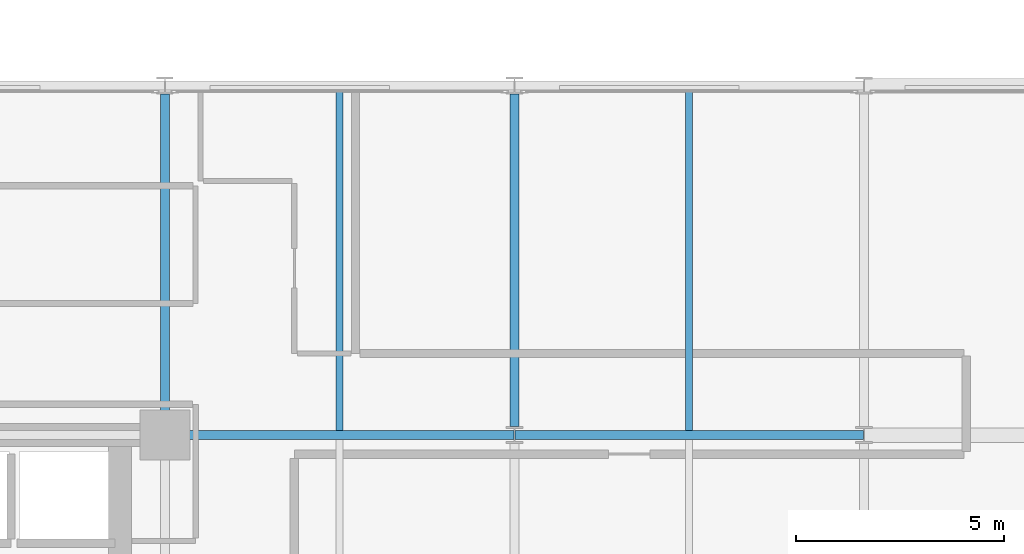
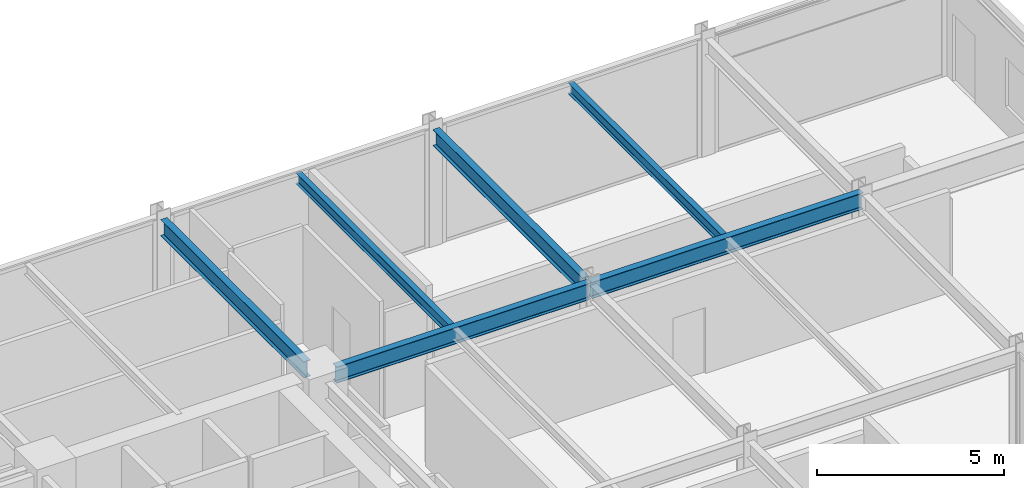
# One storey, part 19 of 38: 6 beams.
"""IFC4 building model written with IfcOpenShell, lengths in metres."""

from ifc_helpers import new_model, si_unit, direction, frame, origin, origin_2d, place, context, subcontext, project, spatial, i_section, extrude, material, material_profile, profile_set, type_object, element, save


model = new_model("IFC4")

# Units and contexts
model_context = context("Model", 3, precision=1e-05, world=origin(), true_north=direction((0.0, 1.0)))
body_context = subcontext(model_context, "Body", "Model", "MODEL_VIEW")
ifc_project = project(units=[si_unit("LENGTHUNIT", "METRE"), si_unit("AREAUNIT", "SQUARE_METRE"), si_unit("VOLUMEUNIT", "CUBIC_METRE"), si_unit("PLANEANGLEUNIT", "RADIAN"), si_unit("MASSUNIT", "GRAM", prefix="KILO")], contexts=[model_context])

# Site, building, storey
site_placement = place(None, origin())
site = spatial("IfcSite", under=ifc_project, at=site_placement, CompositionType="ELEMENT")
building_placement = place(site_placement, origin())
building = spatial("IfcBuilding", under=site, at=building_placement, Name="Nerrivon Quay Data Exchange", CompositionType="ELEMENT")
storey_placement = place(building_placement, frame((0.0, 0.0, 84.39990234375)))
storey = spatial("IfcBuildingStorey", under=building, at=storey_placement, Name="L19", CompositionType="ELEMENT", Elevation=84.39990234375)

# Beams
ifc_material = material(Name="Steel Grade 350", Category="steel")
ifc_material_profile_1 = material_profile(ifc_material, i_section(OverallWidth=0.208984375, OverallDepth=0.532958984375, WebThickness=0.01025390625, FlangeThickness=0.015625, FilletRadius=0.013916015625, at=origin_2d()), Name="530UB92.4")
ifc_profile_set_1 = profile_set([ifc_material_profile_1], Name="Steel Grade 350")
beam_type_1 = type_object("IfcBeamType", Name="BM-G3-530UB92", PredefinedType="BEAM", material=ifc_profile_set_1)
beam_1_placement = place(storey_placement, frame((34.139892578125, 16.800048828125, 3.55859375), z_axis=(1.0, 0.0, 0.0), x_axis=(0.0, 1.0, 0.0)))
element("IfcBeam", 1, at=beam_1_placement, inside=storey, type_object=beam_type_1, Name="L19 EW Girder Y=16.8 (33.6..42.0)", PredefinedType="BEAM", context=body_context, shape_type="SweptSolid", body=[
    extrude(i_section(OverallWidth=0.208984375, OverallDepth=0.532958984375, WebThickness=0.01025390625, FlangeThickness=0.015625, FilletRadius=0.013916015625, at=origin_2d()), origin(), (0.0, 0.0, 1.0), 7.84765625),
])
beam_2_placement = place(storey_placement, frame((42.012451171875, 16.800048828125, 3.55859375), z_axis=(1.0, 0.0, 0.0), x_axis=(0.0, 1.0, 0.0)))
element("IfcBeam", 2, at=beam_2_placement, inside=storey, type_object=beam_type_1, Name="L19 EW Girder Y=16.8 (42.0..50.4)", PredefinedType="BEAM", context=body_context, shape_type="SweptSolid", body=[
    extrude(i_section(OverallWidth=0.208984375, OverallDepth=0.532958984375, WebThickness=0.01025390625, FlangeThickness=0.015625, FilletRadius=0.013916015625, at=origin_2d()), origin(), (0.0, 0.0, 1.0), 8.375),
])
ifc_material_profile_2 = material_profile(ifc_material, i_section(OverallWidth=0.208984375, OverallDepth=0.528076171875, WebThickness=0.009521484375, FlangeThickness=0.01318359375, FilletRadius=0.013916015625, at=origin_2d()), Name="530UB82.0")
ifc_profile_set_2 = profile_set([ifc_material_profile_2], Name="Steel Grade 350")
beam_type_2 = type_object("IfcBeamType", Name="BM-G4-530UB82", PredefinedType="BEAM", material=ifc_profile_set_2)
beam_3_placement = place(storey_placement, frame((33.60009765625, 17.340087890625, 3.56103515625), z_axis=(0.0, 1.0, 0.0), x_axis=(-1.0, 0.0, 0.0)))
element("IfcBeam", 3, at=beam_3_placement, inside=storey, type_object=beam_type_2, Name="L19 NS Girder X=33.6 (16.8..25.2)", PredefinedType="BEAM", context=body_context, shape_type="SweptSolid", body=[
    extrude(i_section(OverallWidth=0.208984375, OverallDepth=0.528076171875, WebThickness=0.009521484375, FlangeThickness=0.01318359375, FilletRadius=0.013916015625, at=origin_2d()), origin(), (0.0, 0.0, 1.0), 7.659912109375),
])
beam_4_placement = place(storey_placement, frame((42.0, 17.0, 3.56103515625), z_axis=(0.0, 1.0, 0.0), x_axis=(-1.0, 0.0, 0.0)))
element("IfcBeam", 4, at=beam_4_placement, inside=storey, type_object=beam_type_2, Name="L19 NS Girder X=42.0 (16.8..25.2)", PredefinedType="BEAM", context=body_context, shape_type="SweptSolid", body=[
    extrude(i_section(OverallWidth=0.208984375, OverallDepth=0.528076171875, WebThickness=0.009521484375, FlangeThickness=0.01318359375, FilletRadius=0.013916015625, at=origin_2d()), origin(), (0.0, 0.0, 1.0), 8.0),
])
ifc_material_profile_3 = material_profile(ifc_material, i_section(OverallWidth=0.1708984375, OverallDepth=0.35595703125, WebThickness=0.00732421875, FlangeThickness=0.011474609375, FilletRadius=0.011474609375, at=origin_2d()), Name="360UB50.7")
ifc_profile_set_3 = profile_set([ifc_material_profile_3], Name="Steel Grade 350")
beam_type_3 = type_object("IfcBeamType", Name="BM-J4-360UB51", PredefinedType="JOIST", material=ifc_profile_set_3)
for number, where, z_axis, x_axis, name in (
    (5, (37.800048828125, 16.904541015625, 3.647216796875), (0.0, 1.0, 0.0), (-1.0, 0.0, 0.0), "L19 Secondary Joist X=37.8 (16.8..25.2)"),
    (6, (46.199951171875, 16.904541015625, 3.647216796875), (0.0, 1.0, 0.0), (-1.0, 0.0, 0.0), "L19 Secondary Joist X=46.2 (16.8..25.2)"),
):
    element("IfcBeam", number, at=place(storey_placement, frame(where, z_axis=z_axis, x_axis=x_axis)), inside=storey, type_object=beam_type_3, Name=name, PredefinedType="JOIST", context=body_context, shape_type="SweptSolid", body=[
        extrude(i_section(OverallWidth=0.1708984375, OverallDepth=0.35595703125, WebThickness=0.00732421875, FlangeThickness=0.011474609375, FilletRadius=0.011474609375, at=origin_2d()), origin(), (0.0, 0.0, 1.0), 8.19091796875),
    ])

save(model, "model.ifc")
